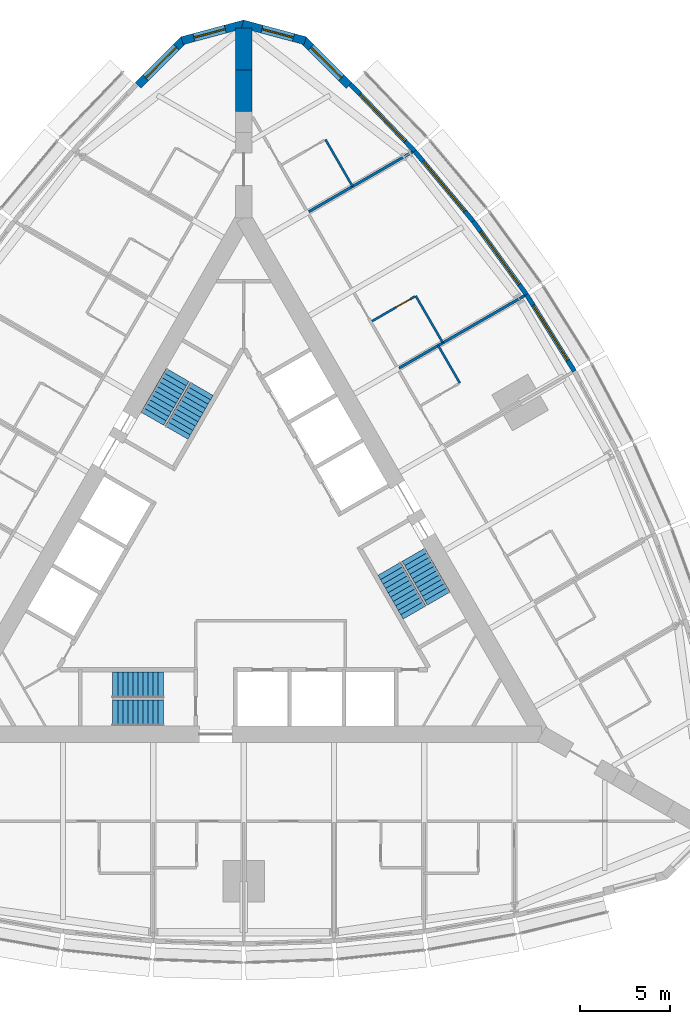
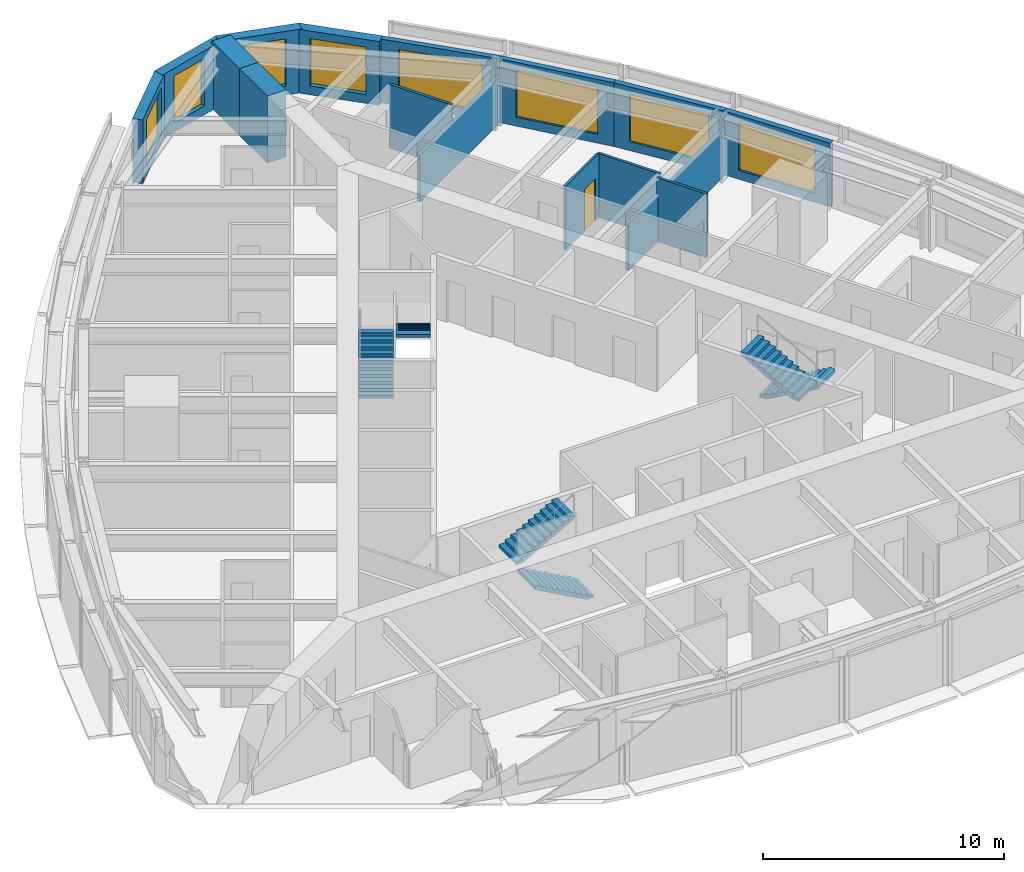
# One storey, part 13 of 14: 16 walls, 8 windows, 6 stair flights, 1 door, 9 openings, 3 elements without a shape of their own.
"""IFC4 building model written with IfcOpenShell, lengths in metres."""

from ifc_helpers import new_model, si_unit, direction, frame, frame_2d, origin, place, context, subcontext, project, spatial, polyline, rectangle, outline, extrude, material, layer, layer_set, type_object, element, fill, aggregate, save


model = new_model("IFC4")

# Units and contexts
model_context = context("Model", 3, precision=1e-05, world=origin(), true_north=direction((0.0, 1.0)))
body_context = subcontext(model_context, "Body", "Model", "MODEL_VIEW")
ifc_project = project(units=[si_unit("LENGTHUNIT", "METRE"), si_unit("AREAUNIT", "SQUARE_METRE"), si_unit("VOLUMEUNIT", "CUBIC_METRE"), si_unit("PLANEANGLEUNIT", "RADIAN"), si_unit("MASSUNIT", "GRAM", prefix="KILO")], contexts=[model_context])

# Site, building, storey
site_placement = place(None, origin())
site = spatial("IfcSite", under=ifc_project, at=site_placement, CompositionType="ELEMENT")
building_placement = place(site_placement, origin())
building = spatial("IfcBuilding", under=site, at=building_placement, Name="Trikona Tower", CompositionType="ELEMENT")
storey_placement = place(building_placement, frame((0.0, 0.0, 124.89990234375)))
storey = spatial("IfcBuildingStorey", under=building, at=storey_placement, Name="L32", CompositionType="ELEMENT", Elevation=124.89990234375)

# Walls
ifc_material_1 = material(Name="Metal stud and cement board", Category="gypsum")
ifc_layer_1 = layer(ifc_material_1, 0.1201171875)
ifc_layer_set_1 = layer_set([ifc_layer_1], Name="Bathroom wall 120")
wall_type_1 = type_object("IfcWallType", Name="Bathroom wall 120", PredefinedType="PLUMBINGWALL", material=ifc_layer_set_1)
wall_1_placement = place(storey_placement, frame((11.972900390625, 9.914794921875, 0.0), z_axis=(0.0, 0.0, 1.0), x_axis=(-0.499957262057, 0.866050077142, 0.0)))
element("IfcWall", 1, at=wall_1_placement, inside=storey, type_object=wall_type_1, Name="Bathroom wall 3209", PredefinedType="PLUMBINGWALL", context=body_context, shape_type="SweptSolid", body=[
    extrude(rectangle(XDim=2.400146484375, YDim=0.1201171875, at=frame_2d((1.2001953125, 0.0))), origin(), (0.0, 0.0, 1.0), 3.235107421875),
])
wall_2_placement = place(storey_placement, frame((11.03271484375, 12.143310546875, 0.0), z_axis=(0.0, 0.0, 1.0), x_axis=(-0.50002537861, 0.866010750942, 0.0)))
element("IfcWall", 2, at=wall_2_placement, inside=storey, type_object=wall_type_1, Name="Bathroom wall 3210", PredefinedType="PLUMBINGWALL", context=body_context, shape_type="SweptSolid", body=[
    extrude(rectangle(XDim=2.999755859375, YDim=0.1201171875, at=frame_2d((1.5, 0.0))), origin(), (0.0, 0.0, 1.0), 3.235107421875),
])

# Wall, opening, door
wall_3_placement = place(storey_placement, frame((7.10791015625, 13.34130859375, 0.0), z_axis=(0.0, 0.0, 1.0), x_axis=(0.866035715982, 0.499982138324, 0.0)))
wall_3 = element("IfcWall", 3, at=wall_3_placement, inside=storey, type_object=wall_type_1, Name="Bathroom wall 3210", PredefinedType="PLUMBINGWALL", context=body_context, shape_type="SweptSolid", body=[
    extrude(rectangle(XDim=2.73974609375, YDim=0.1201171875, at=frame_2d((1.369873046875, 0.0))), origin(), (0.0, 0.0, 1.0), 3.235107421875),
])
opening_1_placement = place(wall_3_placement, frame((1.550048828125, 0.0, 0.0)))
opening_1 = element("IfcOpeningElement", 4, at=opening_1_placement, cuts=wall_3, Name="Opening D2", PredefinedType="OPENING", context=body_context, shape_type="SweptSolid", body=[
    extrude(rectangle(XDim=0.89990234375, YDim=2.1298828125, at=frame_2d((0.449951171875, 1.06494140625))), frame((0.0, 0.070068359375, 0.0), z_axis=(0.0, -1.0, 0.0), x_axis=(1.0, 0.0, 0.0)), (0.0, 0.0, 1.0), 0.14013671875),
])
ifc_material_2 = material(Name="Steel door frame with solid-core timber leaf", Category="steel")
door_type = type_object("IfcDoorType", Name="Bathroom door 900x2130", OperationType="SLIDING_TO_LEFT", PredefinedType="DOOR", material=ifc_material_2)
door_placement = place(opening_1_placement, origin())
door = element("IfcDoor", 5, at=door_placement, inside=storey, type_object=door_type, Name="Bathroom door 3210", OperationType="SLIDING_TO_LEFT", OverallHeight=2.1298828125, OverallWidth=0.89990234375, PredefinedType="DOOR", context=body_context, shape_type="SweptSolid", body=[
    extrude(rectangle(XDim=0.89990234375, YDim=2.1298828125, at=frame_2d((0.449951171875, 1.06494140625))), frame((0.0, 0.02490234375, 0.0), z_axis=(0.0, -1.0, 0.0), x_axis=(1.0, 0.0, 0.0)), (0.0, 0.0, 1.0), 0.050048828125),
])
fill(opening_1, door)

# Wall
wall_4_placement = place(storey_placement, frame((6.03271484375, 20.803466796875, 0.0), z_axis=(0.0, 0.0, 1.0), x_axis=(-0.499990139034, 0.866031096941, 0.0)))
element("IfcWall", 6, at=wall_4_placement, inside=storey, type_object=wall_type_1, Name="Bathroom wall 3211", PredefinedType="PLUMBINGWALL", context=body_context, shape_type="SweptSolid", body=[
    extrude(rectangle(XDim=3.0, YDim=0.1201171875, at=frame_2d((1.5, 0.0))), origin(), (0.0, 0.0, 1.0), 3.235107421875),
])

# Wall, opening, window
ifc_material_3 = material(Name="Brick-faced precast concrete", Category="masonry")
ifc_layer_2 = layer(ifc_material_3, 0.449951171875)
ifc_layer_set_2 = layer_set([ifc_layer_2], Name="Brick-faced corner wall 450")
wall_type_2 = type_object("IfcWallType", Name="Brick-faced corner wall 450", PredefinedType="SOLIDWALL", material=ifc_layer_set_2)
wall_5_placement = place(storey_placement, frame((5.8408203125, 26.39892578125, 0.0), z_axis=(0.0, 0.0, 1.0), x_axis=(-0.707106781187, 0.707106781187, 0.0)))
wall_5 = element("IfcWall", 7, at=wall_5_placement, inside=storey, type_object=wall_type_2, Name="External wall L32-20", PredefinedType="SOLIDWALL", context=body_context, shape_type="SweptSolid", body=[
    extrude(rectangle(XDim=3.586181640625, YDim=0.449951171875, at=frame_2d((1.79296875, 0.0))), origin(), (0.0, 0.0, 1.0), 3.235107421875),
])
opening_2_placement = place(wall_5_placement, frame((0.59326171875, 0.0, 0.449951171875)))
opening_2 = element("IfcOpeningElement", 8, at=opening_2_placement, cuts=wall_5, Name="Opening W2424", PredefinedType="OPENING", context=body_context, shape_type="SweptSolid", body=[
    extrude(rectangle(XDim=2.39990234375, YDim=2.39990234375, at=frame_2d((1.199951171875, 1.199951171875))), frame((0.0, 0.23486328125, 0.0), z_axis=(0.0, -1.0, 0.0), x_axis=(1.0, 0.0, 0.0)), (0.0, 0.0, 1.0), 0.469970703125),
])
ifc_material_4 = material(Name="Aluminium-framed double glazing", Category="aluminium")
window_type_1 = type_object("IfcWindowType", Name="Window 2400x2400", PartitioningType="SINGLE_PANEL", PredefinedType="WINDOW", material=ifc_material_4)
window_1_placement = place(opening_2_placement, origin())
window_1 = element("IfcWindow", 9, at=window_1_placement, inside=storey, type_object=window_type_1, Name="Window 3211", OverallHeight=2.39990234375, OverallWidth=2.39990234375, PartitioningType="SINGLE_PANEL", PredefinedType="WINDOW", context=body_context, shape_type="SweptSolid", body=[
    extrude(rectangle(XDim=2.39990234375, YDim=2.39990234375, at=frame_2d((1.199951171875, 1.199951171875))), frame((0.0, 0.030029296875, 0.0), z_axis=(0.0, -1.0, 0.0), x_axis=(1.0, 0.0, 0.0)), (0.0, 0.0, 1.0), 0.06005859375),
])
fill(opening_2, window_1)

wall_6_placement = place(storey_placement, frame((3.406005859375, 28.876708984375, 0.0), z_axis=(0.0, 0.0, 1.0), x_axis=(-0.965924653531, 0.258823421857, 0.0)))
wall_6 = element("IfcWall", 10, at=wall_6_placement, inside=storey, type_object=wall_type_2, Name="External wall L32-21", PredefinedType="SOLIDWALL", context=body_context, shape_type="SweptSolid", body=[
    extrude(outline(polyline([(3.58642578125, 0.22509765625), (3.526611328125, 0.22509765625), (3.035400390625, 0.09326171875), (3.0, 0.22509765625), (0.0, 0.22509765625), (0.0, -0.22509765625), (3.58642578125, -0.22509765625), (3.58642578125, 0.22509765625)])), origin(), (0.0, 0.0, 1.0), 3.235107421875),
])
opening_3_placement = place(wall_6_placement, frame((0.6748046875, 0.0, 0.449951171875)))
opening_3 = element("IfcOpeningElement", 11, at=opening_3_placement, cuts=wall_6, Name="Opening W1824", PredefinedType="OPENING", context=body_context, shape_type="SweptSolid", body=[
    extrude(rectangle(XDim=1.800048828125, YDim=2.39990234375, at=frame_2d((0.89990234375, 1.199951171875))), frame((0.0, 0.23486328125, 0.0), z_axis=(0.0, -1.0, 0.0), x_axis=(1.0, 0.0, 0.0)), (0.0, 0.0, 1.0), 0.469970703125),
])
ifc_material_5 = material(Name="Aluminium-framed double glazing", Category="aluminium")
window_type_2 = type_object("IfcWindowType", Name="Window 1800x2400", PartitioningType="SINGLE_PANEL", PredefinedType="WINDOW", material=ifc_material_5)
window_2_placement = place(opening_3_placement, origin())
window_2 = element("IfcWindow", 12, at=window_2_placement, inside=storey, type_object=window_type_2, Name="Window 3211", OverallHeight=2.39990234375, OverallWidth=1.800048828125, PartitioningType="SINGLE_PANEL", PredefinedType="WINDOW", context=body_context, shape_type="SweptSolid", body=[
    extrude(rectangle(XDim=1.800048828125, YDim=2.39990234375, at=frame_2d((0.89990234375, 1.199951171875))), frame((0.0, 0.030029296875, 0.0), z_axis=(0.0, -1.0, 0.0), x_axis=(1.0, 0.0, 0.0)), (0.0, 0.0, 1.0), 0.06005859375),
])
fill(opening_3, window_2)

wall_7_placement = place(storey_placement, frame((0.05810546875, 29.804931640625, 0.0), z_axis=(0.0, 0.0, 1.0), x_axis=(-0.965924653531, -0.258823421857, 0.0)))
wall_7 = element("IfcWall", 13, at=wall_7_placement, inside=storey, type_object=wall_type_2, Name="External wall L32-22", PredefinedType="SOLIDWALL", context=body_context, shape_type="SweptSolid", body=[
    extrude(outline(polyline([(3.58642578125, 0.22509765625), (0.58642578125, 0.22509765625), (0.551025390625, 0.09326171875), (0.0595703125, 0.22509765625), (0.0, 0.22509765625), (0.0, -0.22509765625), (3.58642578125, -0.22509765625), (3.58642578125, 0.22509765625)])), origin(), (0.0, 0.0, 1.0), 3.235107421875),
])
opening_4_placement = place(wall_7_placement, frame((1.111328125, 0.0, 0.449951171875)))
opening_4 = element("IfcOpeningElement", 14, at=opening_4_placement, cuts=wall_7, Name="Opening W1824", PredefinedType="OPENING", context=body_context, shape_type="SweptSolid", body=[
    extrude(rectangle(XDim=1.800048828125, YDim=2.39990234375, at=frame_2d((0.89990234375, 1.199951171875))), frame((0.0, 0.23486328125, 0.0), z_axis=(0.0, -1.0, 0.0), x_axis=(1.0, 0.0, 0.0)), (0.0, 0.0, 1.0), 0.469970703125),
])
window_3_placement = place(opening_4_placement, origin())
window_3 = element("IfcWindow", 15, at=window_3_placement, inside=storey, type_object=window_type_2, Name="Window 3212", OverallHeight=2.39990234375, OverallWidth=1.800048828125, PartitioningType="SINGLE_PANEL", PredefinedType="WINDOW", context=body_context, shape_type="SweptSolid", body=[
    extrude(rectangle(XDim=1.800048828125, YDim=2.39990234375, at=frame_2d((0.89990234375, 1.199951171875))), frame((0.0, 0.030029296875, 0.0), z_axis=(0.0, -1.0, 0.0), x_axis=(1.0, 0.0, 0.0)), (0.0, 0.0, 1.0), 0.06005859375),
])
fill(opening_4, window_3)

wall_8_placement = place(storey_placement, frame((-3.304931640625, 28.934814453125, 0.0), z_axis=(0.0, 0.0, 1.0), x_axis=(-0.707106781187, -0.707106781187, 0.0)))
wall_8 = element("IfcWall", 16, at=wall_8_placement, inside=storey, type_object=wall_type_2, Name="External wall L32-23", PredefinedType="SOLIDWALL", context=body_context, shape_type="SweptSolid", body=[
    extrude(rectangle(XDim=3.586181640625, YDim=0.449951171875, at=frame_2d((1.79296875, 0.0))), origin(), (0.0, 0.0, 1.0), 3.235107421875),
])
opening_5_placement = place(wall_8_placement, frame((0.59326171875, 0.0, 0.449951171875)))
opening_5 = element("IfcOpeningElement", 17, at=opening_5_placement, cuts=wall_8, Name="Opening W2424", PredefinedType="OPENING", context=body_context, shape_type="SweptSolid", body=[
    extrude(rectangle(XDim=2.39990234375, YDim=2.39990234375, at=frame_2d((1.199951171875, 1.199951171875))), frame((0.0, 0.23486328125, 0.0), z_axis=(0.0, -1.0, 0.0), x_axis=(1.0, 0.0, 0.0)), (0.0, 0.0, 1.0), 0.469970703125),
])
window_4_placement = place(opening_5_placement, origin())
window_4 = element("IfcWindow", 18, at=window_4_placement, inside=storey, type_object=window_type_1, Name="Window 3212", OverallHeight=2.39990234375, OverallWidth=2.39990234375, PartitioningType="SINGLE_PANEL", PredefinedType="WINDOW", context=body_context, shape_type="SweptSolid", body=[
    extrude(rectangle(XDim=2.39990234375, YDim=2.39990234375, at=frame_2d((1.199951171875, 1.199951171875))), frame((0.0, 0.030029296875, 0.0), z_axis=(0.0, -1.0, 0.0), x_axis=(1.0, 0.0, 0.0)), (0.0, 0.0, 1.0), 0.06005859375),
])
fill(opening_5, window_4)

# Walls
ifc_material_6 = material(Name="Concrete f'c 10000 psi", Category="concrete")
ifc_layer_3 = layer(ifc_material_6, 0.89990234375)
ifc_layer_set_3 = layer_set([ifc_layer_3], Name="Buttress wall 900")
wall_type_3 = type_object("IfcWallType", Name="Buttress wall 900", PredefinedType="SHEAR", material=ifc_layer_set_3)
wall_9_placement = place(storey_placement, frame((0.0, 24.953369140625, 0.0), z_axis=(0.0, 0.0, 1.0), x_axis=(0.0, 1.0, 0.0)))
element("IfcWall", 19, at=wall_9_placement, inside=storey, type_object=wall_type_3, Name="Buttress wall 2 part 3", PredefinedType="SHEAR", context=body_context, shape_type="SweptSolid", body=[
    extrude(rectangle(XDim=2.309326171875, YDim=0.89990234375, at=frame_2d((1.15478515625, 0.0))), origin(), (0.0, 0.0, 1.0), 3.400146484375),
])
wall_10_placement = place(storey_placement, frame((0.0, 27.2626953125, 0.0), z_axis=(0.0, 0.0, 1.0), x_axis=(0.0, 1.0, 0.0)))
element("IfcWall", 20, at=wall_10_placement, inside=storey, type_object=wall_type_3, Name="Buttress wall 2 part 4", PredefinedType="SHEAR", context=body_context, shape_type="SweptSolid", body=[
    extrude(rectangle(XDim=2.3095703125, YDim=0.89990234375, at=frame_2d((1.15478515625, 0.0))), origin(), (0.0, 0.0, 1.0), 3.400146484375),
])

# Wall, opening, window
ifc_material_7 = material(Name="Insulated precast concrete spandrel panel", Category="concrete")
ifc_layer_4 = layer(ifc_material_7, 0.25)
ifc_layer_set_4 = layer_set([ifc_layer_4], Name="Inner skin wall 250")
wall_type_4 = type_object("IfcWallType", Name="Inner skin wall 250", PredefinedType="STANDARD", material=ifc_layer_set_4)
wall_11_placement = place(storey_placement, frame((18.31884765625, 10.5712890625, 0.0), z_axis=(0.0, 0.0, 1.0), x_axis=(-0.529990167382, 0.84800378683, 0.0)))
wall_11 = element("IfcWall", 21, at=wall_11_placement, inside=storey, type_object=wall_type_4, Name="External wall L32-16", PredefinedType="STANDARD", context=body_context, shape_type="SweptSolid", body=[
    extrude(rectangle(XDim=5.003173828125, YDim=0.25, at=frame_2d((2.50146484375, 0.0))), origin(), (0.0, 0.0, 1.0), 3.235107421875),
])
opening_6_placement = place(wall_11_placement, frame((0.701416015625, 0.0, 0.449951171875)))
opening_6 = element("IfcOpeningElement", 22, at=opening_6_placement, cuts=wall_11, Name="Opening W3624", PredefinedType="OPENING", context=body_context, shape_type="SweptSolid", body=[
    extrude(rectangle(XDim=3.60009765625, YDim=2.39990234375, at=frame_2d((1.800048828125, 1.199951171875))), frame((0.0, 0.135009765625, 0.0), z_axis=(0.0, -1.0, 0.0), x_axis=(1.0, 0.0, 0.0)), (0.0, 0.0, 1.0), 0.27001953125),
])
ifc_material_8 = material(Name="Aluminium-framed double glazing", Category="aluminium")
window_type_3 = type_object("IfcWindowType", Name="Window 3600x2400", PartitioningType="SINGLE_PANEL", PredefinedType="WINDOW", material=ifc_material_8)
window_5_placement = place(opening_6_placement, origin())
window_5 = element("IfcWindow", 23, at=window_5_placement, inside=storey, type_object=window_type_3, Name="Window 3209", OverallHeight=2.39990234375, OverallWidth=3.60009765625, PartitioningType="SINGLE_PANEL", PredefinedType="WINDOW", context=body_context, shape_type="SweptSolid", body=[
    extrude(rectangle(XDim=3.60009765625, YDim=2.39990234375, at=frame_2d((1.800048828125, 1.199951171875))), frame((0.0, 0.030029296875, 0.0), z_axis=(0.0, -1.0, 0.0), x_axis=(1.0, 0.0, 0.0)), (0.0, 0.0, 1.0), 0.06005859375),
])
fill(opening_6, window_5)

wall_12_placement = place(storey_placement, frame((15.672119140625, 14.806640625, 0.0), z_axis=(0.0, 0.0, 1.0), x_axis=(-0.587669188412, 0.809101307001, 0.0)))
wall_12 = element("IfcWall", 24, at=wall_12_placement, inside=storey, type_object=wall_type_4, Name="External wall L32-17", PredefinedType="STANDARD", context=body_context, shape_type="SweptSolid", body=[
    extrude(rectangle(XDim=5.027587890625, YDim=0.25, at=frame_2d((2.513671875, 0.0))), origin(), (0.0, 0.0, 1.0), 3.235107421875),
])
opening_7_placement = place(wall_12_placement, frame((0.7138671875, 0.0, 0.449951171875)))
opening_7 = element("IfcOpeningElement", 25, at=opening_7_placement, cuts=wall_12, Name="Opening W3624", PredefinedType="OPENING", context=body_context, shape_type="SweptSolid", body=[
    extrude(rectangle(XDim=3.60009765625, YDim=2.39990234375, at=frame_2d((1.800048828125, 1.199951171875))), frame((0.0, 0.135009765625, 0.0), z_axis=(0.0, -1.0, 0.0), x_axis=(1.0, 0.0, 0.0)), (0.0, 0.0, 1.0), 0.27001953125),
])
window_6_placement = place(opening_7_placement, origin())
window_6 = element("IfcWindow", 26, at=window_6_placement, inside=storey, type_object=window_type_3, Name="Window 3210", OverallHeight=2.39990234375, OverallWidth=3.60009765625, PartitioningType="SINGLE_PANEL", PredefinedType="WINDOW", context=body_context, shape_type="SweptSolid", body=[
    extrude(rectangle(XDim=3.60009765625, YDim=2.39990234375, at=frame_2d((1.800048828125, 1.199951171875))), frame((0.0, 0.030029296875, 0.0), z_axis=(0.0, -1.0, 0.0), x_axis=(1.0, 0.0, 0.0)), (0.0, 0.0, 1.0), 0.06005859375),
])
fill(opening_7, window_6)

wall_13_placement = place(storey_placement, frame((12.722900390625, 18.86767578125, 0.0), z_axis=(0.0, 0.0, 1.0), x_axis=(-0.641810386606, 0.766863369607, 0.0)))
wall_13 = element("IfcWall", 27, at=wall_13_placement, inside=storey, type_object=wall_type_4, Name="External wall L32-18", PredefinedType="STANDARD", context=body_context, shape_type="SweptSolid", body=[
    extrude(rectangle(XDim=5.075927734375, YDim=0.25, at=frame_2d((2.5380859375, 0.0))), origin(), (0.0, 0.0, 1.0), 3.235107421875),
])
opening_8_placement = place(wall_13_placement, frame((0.738037109375, 0.0, 0.449951171875)))
opening_8 = element("IfcOpeningElement", 28, at=opening_8_placement, cuts=wall_13, Name="Opening W3624", PredefinedType="OPENING", context=body_context, shape_type="SweptSolid", body=[
    extrude(rectangle(XDim=3.60009765625, YDim=2.39990234375, at=frame_2d((1.800048828125, 1.199951171875))), frame((0.0, 0.135009765625, 0.0), z_axis=(0.0, -1.0, 0.0), x_axis=(1.0, 0.0, 0.0)), (0.0, 0.0, 1.0), 0.27001953125),
])
window_7_placement = place(opening_8_placement, origin())
window_7 = element("IfcWindow", 29, at=window_7_placement, inside=storey, type_object=window_type_3, Name="Window 3210", OverallHeight=2.39990234375, OverallWidth=3.60009765625, PartitioningType="SINGLE_PANEL", PredefinedType="WINDOW", context=body_context, shape_type="SweptSolid", body=[
    extrude(rectangle(XDim=3.60009765625, YDim=2.39990234375, at=frame_2d((1.800048828125, 1.199951171875))), frame((0.0, 0.030029296875, 0.0), z_axis=(0.0, -1.0, 0.0), x_axis=(1.0, 0.0, 0.0)), (0.0, 0.0, 1.0), 0.06005859375),
])
fill(opening_8, window_7)

wall_14_placement = place(storey_placement, frame((9.470703125, 22.75390625, 0.0), z_axis=(0.0, 0.0, 1.0), x_axis=(-0.691719937936, 0.722165858693, 0.0)))
wall_14 = element("IfcWall", 30, at=wall_14_placement, inside=storey, type_object=wall_type_4, Name="External wall L32-19", PredefinedType="STANDARD", context=body_context, shape_type="SweptSolid", body=[
    extrude(rectangle(XDim=5.148193359375, YDim=0.25, at=frame_2d((2.57421875, 0.0))), origin(), (0.0, 0.0, 1.0), 3.235107421875),
])
opening_9_placement = place(wall_14_placement, frame((0.77392578125, 0.0, 0.449951171875)))
opening_9 = element("IfcOpeningElement", 31, at=opening_9_placement, cuts=wall_14, Name="Opening W3624", PredefinedType="OPENING", context=body_context, shape_type="SweptSolid", body=[
    extrude(rectangle(XDim=3.60009765625, YDim=2.39990234375, at=frame_2d((1.800048828125, 1.199951171875))), frame((0.0, 0.135009765625, 0.0), z_axis=(0.0, -1.0, 0.0), x_axis=(1.0, 0.0, 0.0)), (0.0, 0.0, 1.0), 0.27001953125),
])
window_8_placement = place(opening_9_placement, origin())
window_8 = element("IfcWindow", 32, at=window_8_placement, inside=storey, type_object=window_type_3, Name="Window 3211", OverallHeight=2.39990234375, OverallWidth=3.60009765625, PartitioningType="SINGLE_PANEL", PredefinedType="WINDOW", context=body_context, shape_type="SweptSolid", body=[
    extrude(rectangle(XDim=3.60009765625, YDim=2.39990234375, at=frame_2d((1.800048828125, 1.199951171875))), frame((0.0, 0.030029296875, 0.0), z_axis=(0.0, -1.0, 0.0), x_axis=(1.0, 0.0, 0.0)), (0.0, 0.0, 1.0), 0.06005859375),
])
fill(opening_9, window_8)

# Walls
ifc_material_9 = material(Name="Metal stud and gypsum board, 1-hour acoustic", Category="gypsum")
ifc_layer_5 = layer(ifc_material_9, 0.14990234375)
ifc_layer_set_5 = layer_set([ifc_layer_5], Name="Party wall 150")
wall_type_5 = type_object("IfcWallType", Name="Party wall 150", PredefinedType="PARTITIONING", material=ifc_layer_set_5)
wall_15_placement = place(storey_placement, frame((8.60791015625, 10.743408203125, 0.0), z_axis=(0.0, 0.0, 1.0), x_axis=(0.866041663918, 0.499971835565, 0.0)))
element("IfcWall", 33, at=wall_15_placement, inside=storey, type_object=wall_type_5, Name="Partition L32 F2 u5", PredefinedType="PARTITIONING", context=body_context, shape_type="SweptSolid", body=[
    extrude(rectangle(XDim=8.0224609375, YDim=0.14990234375, at=frame_2d((4.01123046875, 0.0))), origin(), (0.0, 0.0, 1.0), 2.389404296875),
])
wall_16_placement = place(storey_placement, frame((3.60791015625, 19.403564453125, 0.0), z_axis=(0.0, 0.0, 1.0), x_axis=(0.866015989873, 0.500016305018, 0.0)))
element("IfcWall", 34, at=wall_16_placement, inside=storey, type_object=wall_type_5, Name="Partition L32 F2 u15", PredefinedType="PARTITIONING", context=body_context, shape_type="SweptSolid", body=[
    extrude(rectangle(XDim=6.616455078125, YDim=0.14990234375, at=frame_2d((3.30810546875, 0.0))), origin(), (0.0, 0.0, 1.0), 2.389404296875),
])

# Stair, stair flights
ifc_material_10 = material(Name="Concrete f'c 5000 psi", Category="concrete")
stair_type = type_object("IfcStairType", Name="Core stair", PredefinedType="HALF_TURN_STAIR", material=ifc_material_10)
stair_1_placement = place(storey_placement, origin())
stair_1 = element("IfcStair", 35, at=stair_1_placement, inside=storey, type_object=stair_type, Name="Stair A L32", PredefinedType="HALF_TURN_STAIR")
ifc_material_11 = material(Name="Concrete f'c 5000 psi", Category="concrete")
stair_flight_type = type_object("IfcStairFlightType", Name="Core stair flight 1450", PredefinedType="STRAIGHT", material=ifc_material_11)
stair_flight_1_placement = place(storey_placement, frame((-4.449951171875, -8.351318359375, 0.0), z_axis=(0.0, 0.0, 1.0), x_axis=(-1.0, 0.0, 0.0)))
stair_flight_1 = element("IfcStairFlight", 36, at=stair_flight_1_placement, type_object=stair_flight_type, Name="ST-A flight 1", NumberOfRisers=11, NumberOfTreads=10, PredefinedType="STRAIGHT", RiserHeight=0.154545, TreadLength=0.28, context=body_context, shape_type="SweptSolid", body=[
    extrude(outline(polyline([(0.0, 0.0), (0.0, 0.154541015625), (0.280029296875, 0.154541015625), (0.280029296875, 0.30908203125), (0.56005859375, 0.30908203125), (0.56005859375, 0.463623046875), (0.840087890625, 0.463623046875), (0.840087890625, 0.6181640625), (1.1201171875, 0.6181640625), (1.1201171875, 0.772705078125), (1.39990234375, 0.772705078125), (1.39990234375, 0.92724609375), (1.679931640625, 0.92724609375), (1.679931640625, 1.081787109375), (1.9599609375, 1.081787109375), (1.9599609375, 1.236328125), (2.239990234375, 1.236328125), (2.239990234375, 1.390869140625), (2.52001953125, 1.390869140625), (2.52001953125, 1.54541015625), (2.800048828125, 1.54541015625), (2.800048828125, 1.699951171875), (2.800048828125, 1.374267578125), (0.310302734375, 0.0), (0.0, 0.0)])), frame((0.0, 0.72509765625, 0.0), z_axis=(0.0, -1.0, 0.0), x_axis=(1.0, 0.0, 0.0)), (0.0, 0.0, 1.0), 1.449951171875),
])
stair_flight_2_placement = place(storey_placement, frame((-7.25, -6.80126953125, 1.7001953125), z_axis=(0.0, 0.0, 1.0), x_axis=(1.0, 0.0, 0.0)))
stair_flight_2 = element("IfcStairFlight", 37, at=stair_flight_2_placement, type_object=stair_flight_type, Name="ST-A flight 2", NumberOfRisers=11, NumberOfTreads=10, PredefinedType="STRAIGHT", RiserHeight=0.154545, TreadLength=0.28, context=body_context, shape_type="SweptSolid", body=[
    extrude(outline(polyline([(0.0, 0.0), (0.0, 0.154541015625), (0.280029296875, 0.154541015625), (0.280029296875, 0.30908203125), (0.56005859375, 0.30908203125), (0.56005859375, 0.463623046875), (0.840087890625, 0.463623046875), (0.840087890625, 0.6181640625), (1.1201171875, 0.6181640625), (1.1201171875, 0.772705078125), (1.39990234375, 0.772705078125), (1.39990234375, 0.92724609375), (1.679931640625, 0.92724609375), (1.679931640625, 1.081787109375), (1.9599609375, 1.081787109375), (1.9599609375, 1.236328125), (2.239990234375, 1.236328125), (2.239990234375, 1.390869140625), (2.52001953125, 1.390869140625), (2.52001953125, 1.54541015625), (2.800048828125, 1.54541015625), (2.800048828125, 1.699951171875), (2.800048828125, 1.374267578125), (0.310302734375, 0.0), (0.0, 0.0)])), frame((0.0, 0.72509765625, 0.0), z_axis=(0.0, -1.0, 0.0), x_axis=(1.0, 0.0, 0.0)), (0.0, 0.0, 1.0), 1.449951171875),
])
aggregate(stair_1, [stair_flight_1, stair_flight_2])

stair_2_placement = place(storey_placement, origin())
stair_2 = element("IfcStair", 38, at=stair_2_placement, inside=storey, type_object=stair_type, Name="Stair B L32", PredefinedType="HALF_TURN_STAIR")
stair_flight_3_placement = place(storey_placement, frame((9.407470703125, 0.408447265625, 0.0), z_axis=(0.0, 0.0, 1.0), x_axis=(0.5, -0.866025403784, 0.0)))
stair_flight_3 = element("IfcStairFlight", 39, at=stair_flight_3_placement, type_object=stair_flight_type, Name="ST-B flight 1", NumberOfRisers=11, NumberOfTreads=10, PredefinedType="STRAIGHT", RiserHeight=0.154545, TreadLength=0.28, context=body_context, shape_type="SweptSolid", body=[
    extrude(outline(polyline([(0.0, 0.0), (0.0, 0.154541015625), (0.280029296875, 0.154541015625), (0.280029296875, 0.30908203125), (0.56005859375, 0.30908203125), (0.56005859375, 0.463623046875), (0.840087890625, 0.463623046875), (0.840087890625, 0.6181640625), (1.1201171875, 0.6181640625), (1.1201171875, 0.772705078125), (1.39990234375, 0.772705078125), (1.39990234375, 0.92724609375), (1.679931640625, 0.92724609375), (1.679931640625, 1.081787109375), (1.9599609375, 1.081787109375), (1.9599609375, 1.236328125), (2.239990234375, 1.236328125), (2.239990234375, 1.390869140625), (2.52001953125, 1.390869140625), (2.52001953125, 1.54541015625), (2.800048828125, 1.54541015625), (2.800048828125, 1.699951171875), (2.800048828125, 1.374267578125), (0.310302734375, 0.0), (0.0, 0.0)])), frame((0.0, 0.72509765625, 0.0), z_axis=(0.0, -1.0, 0.0), x_axis=(1.0, 0.0, 0.0)), (0.0, 0.0, 1.0), 1.449951171875),
])
stair_flight_4_placement = place(storey_placement, frame((9.465087890625, -2.79150390625, 1.7001953125), z_axis=(0.0, 0.0, 1.0), x_axis=(-0.5, 0.866025403784, 0.0)))
stair_flight_4 = element("IfcStairFlight", 40, at=stair_flight_4_placement, type_object=stair_flight_type, Name="ST-B flight 2", NumberOfRisers=11, NumberOfTreads=10, PredefinedType="STRAIGHT", RiserHeight=0.154545, TreadLength=0.28, context=body_context, shape_type="SweptSolid", body=[
    extrude(outline(polyline([(0.0, 0.0), (0.0, 0.154541015625), (0.280029296875, 0.154541015625), (0.280029296875, 0.30908203125), (0.56005859375, 0.30908203125), (0.56005859375, 0.463623046875), (0.840087890625, 0.463623046875), (0.840087890625, 0.6181640625), (1.1201171875, 0.6181640625), (1.1201171875, 0.772705078125), (1.39990234375, 0.772705078125), (1.39990234375, 0.92724609375), (1.679931640625, 0.92724609375), (1.679931640625, 1.081787109375), (1.9599609375, 1.081787109375), (1.9599609375, 1.236328125), (2.239990234375, 1.236328125), (2.239990234375, 1.390869140625), (2.52001953125, 1.390869140625), (2.52001953125, 1.54541015625), (2.800048828125, 1.54541015625), (2.800048828125, 1.699951171875), (2.800048828125, 1.374267578125), (0.310302734375, 0.0), (0.0, 0.0)])), frame((0.0, 0.72509765625, 0.0), z_axis=(0.0, -1.0, 0.0), x_axis=(1.0, 0.0, 0.0)), (0.0, 0.0, 1.0), 1.449951171875),
])
aggregate(stair_2, [stair_flight_3, stair_flight_4])

stair_3_placement = place(storey_placement, origin())
stair_3 = element("IfcStair", 41, at=stair_3_placement, inside=storey, type_object=stair_type, Name="Stair C L32", PredefinedType="HALF_TURN_STAIR")
stair_flight_5_placement = place(storey_placement, frame((-5.057373046875, 7.94287109375, 0.0), z_axis=(0.0, 0.0, 1.0), x_axis=(0.5, 0.866025403784, 0.0)))
stair_flight_5 = element("IfcStairFlight", 42, at=stair_flight_5_placement, type_object=stair_flight_type, Name="ST-C flight 1", NumberOfRisers=11, NumberOfTreads=10, PredefinedType="STRAIGHT", RiserHeight=0.154545, TreadLength=0.28, context=body_context, shape_type="SweptSolid", body=[
    extrude(outline(polyline([(0.0, 0.0), (0.0, 0.154541015625), (0.280029296875, 0.154541015625), (0.280029296875, 0.30908203125), (0.56005859375, 0.30908203125), (0.56005859375, 0.463623046875), (0.840087890625, 0.463623046875), (0.840087890625, 0.6181640625), (1.1201171875, 0.6181640625), (1.1201171875, 0.772705078125), (1.39990234375, 0.772705078125), (1.39990234375, 0.92724609375), (1.679931640625, 0.92724609375), (1.679931640625, 1.081787109375), (1.9599609375, 1.081787109375), (1.9599609375, 1.236328125), (2.239990234375, 1.236328125), (2.239990234375, 1.390869140625), (2.52001953125, 1.390869140625), (2.52001953125, 1.54541015625), (2.800048828125, 1.54541015625), (2.800048828125, 1.699951171875), (2.800048828125, 1.374267578125), (0.310302734375, 0.0), (0.0, 0.0)])), frame((0.0, 0.72509765625, 0.0), z_axis=(0.0, -1.0, 0.0), x_axis=(1.0, 0.0, 0.0)), (0.0, 0.0, 1.0), 1.449951171875),
])
stair_flight_6_placement = place(storey_placement, frame((-2.315185546875, 9.5927734375, 1.7001953125), z_axis=(0.0, 0.0, 1.0), x_axis=(-0.5, -0.866025403784, 0.0)))
stair_flight_6 = element("IfcStairFlight", 43, at=stair_flight_6_placement, type_object=stair_flight_type, Name="ST-C flight 2", NumberOfRisers=11, NumberOfTreads=10, PredefinedType="STRAIGHT", RiserHeight=0.154545, TreadLength=0.28, context=body_context, shape_type="SweptSolid", body=[
    extrude(outline(polyline([(0.0, 0.0), (0.0, 0.154541015625), (0.280029296875, 0.154541015625), (0.280029296875, 0.30908203125), (0.56005859375, 0.30908203125), (0.56005859375, 0.463623046875), (0.840087890625, 0.463623046875), (0.840087890625, 0.6181640625), (1.1201171875, 0.6181640625), (1.1201171875, 0.772705078125), (1.39990234375, 0.772705078125), (1.39990234375, 0.92724609375), (1.679931640625, 0.92724609375), (1.679931640625, 1.081787109375), (1.9599609375, 1.081787109375), (1.9599609375, 1.236328125), (2.239990234375, 1.236328125), (2.239990234375, 1.390869140625), (2.52001953125, 1.390869140625), (2.52001953125, 1.54541015625), (2.800048828125, 1.54541015625), (2.800048828125, 1.699951171875), (2.800048828125, 1.374267578125), (0.310302734375, 0.0), (0.0, 0.0)])), frame((0.0, 0.72509765625, 0.0), z_axis=(0.0, -1.0, 0.0), x_axis=(1.0, 0.0, 0.0)), (0.0, 0.0, 1.0), 1.449951171875),
])
aggregate(stair_3, [stair_flight_5, stair_flight_6])

save(model, "model.ifc")
